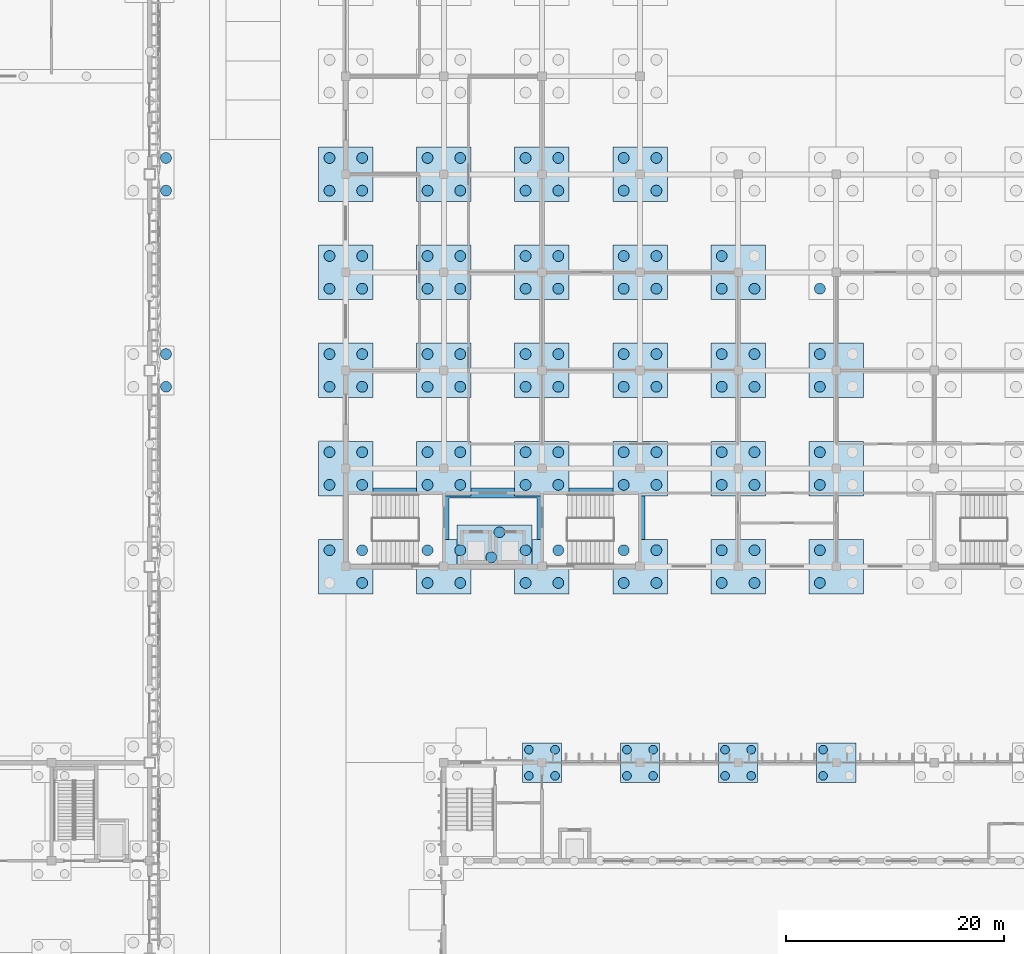
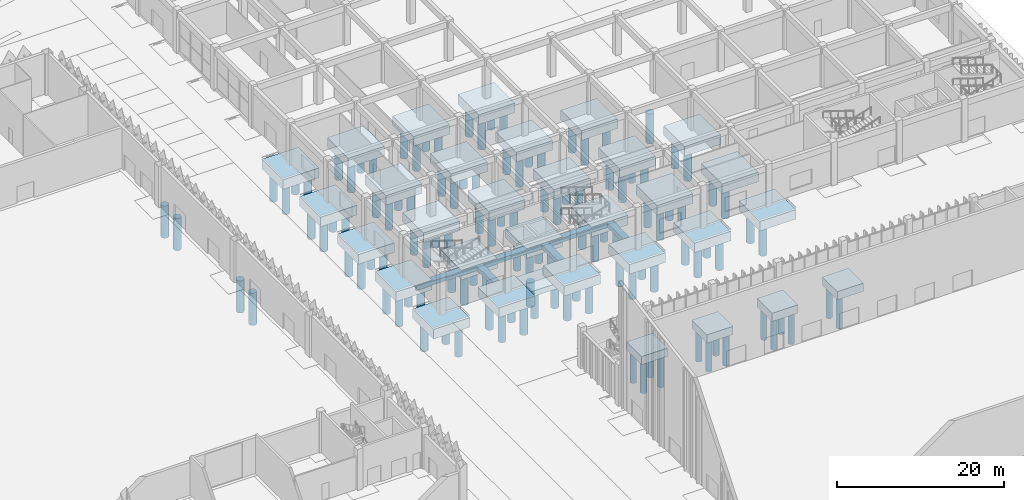
# One storey, part 14 of 198: 121 piles, 33 footings.
"""IFC4 building model written with IfcOpenShell, lengths in metres."""

from ifc_helpers import new_model, si_unit, direction, frame, origin, origin_2d, place, context, subcontext, project, spatial, polyline, circle, outline, extrude, material, layer, layer_set, material_profile, profile_set, type_object, element, save


model = new_model("IFC4")

# Units and contexts
model_context = context("Model", 3, precision=1e-05, world=origin(), true_north=direction((0.0, 1.0)))
body_context = subcontext(model_context, "Body", "Model", "MODEL_VIEW")
ifc_project = project(units=[si_unit("LENGTHUNIT", "METRE"), si_unit("AREAUNIT", "SQUARE_METRE"), si_unit("VOLUMEUNIT", "CUBIC_METRE"), si_unit("PLANEANGLEUNIT", "RADIAN"), si_unit("MASSUNIT", "GRAM", prefix="KILO")], contexts=[model_context])

# Site, building, storey
site_placement = place(None, origin())
site = spatial("IfcSite", under=ifc_project, at=site_placement, CompositionType="ELEMENT")
building_placement = place(site_placement, origin())
building = spatial("IfcBuilding", under=site, at=building_placement, Name="Opaline Strait Convention Centre", CompositionType="ELEMENT")
storey_placement = place(building_placement, origin())
storey = spatial("IfcBuildingStorey", under=building, at=storey_placement, Name="L00", CompositionType="ELEMENT", Elevation=0.0)

# Piles
ifc_material_1 = material(Name="Concrete C35", Category="concrete")
ifc_material_profile_1 = material_profile(ifc_material_1, circle(Radius=0.5, at=origin_2d()), Name="D1000")
ifc_profile_set_1 = profile_set([ifc_material_profile_1], Name="Concrete C35")
pile_type_1 = type_object("IfcPileType", Name="Bored pile D1000 C35", PredefinedType="BORED", material=ifc_profile_set_1)
for number, where, z_axis, x_axis, name in (
    (1, (262.5, 106.5, -1.300048828125), (0.0, 0.0, -1.0), (1.0, 0.0, 0.0), "Bored pile of cap 261/108"),
    (2, (262.5, 109.5, -1.300048828125), (0.0, 0.0, -1.0), (1.0, 0.0, 0.0), "Bored pile of cap 261/108"),
    (3, (262.5, 124.5, -1.300048828125), (0.0, 0.0, -1.0), (1.0, 0.0, 0.0), "Bored pile of cap 261/126"),
    (4, (262.5, 127.5, -1.300048828125), (0.0, 0.0, -1.0), (1.0, 0.0, 0.0), "Bored pile of cap 261/126"),
):
    element("IfcPile", number, at=place(storey_placement, frame(where, z_axis=z_axis, x_axis=x_axis)), inside=storey, type_object=pile_type_1, Name=name, PredefinedType="BORED", context=body_context, shape_type="SweptSolid", body=[
        extrude(circle(Radius=0.5, at=origin_2d()), origin(), (0.0, 0.0, 1.0), 4.699951171875),
    ])
ifc_material_profile_2 = material_profile(ifc_material_1, circle(Radius=0.5, at=origin_2d()), Name="D1000")
ifc_profile_set_2 = profile_set([ifc_material_profile_2], Name="Concrete C35")
pile_type_2 = type_object("IfcPileType", Name="Bored pile D1000 L3.6 C35", PredefinedType="BORED", material=ifc_profile_set_2)
for number, where, z_axis, x_axis, name in (
    (5, (292.35009765625, 90.85009765625, -2.39990234375), (0.0, 0.0, -1.0), (1.0, 0.0, 0.0), "MPL2 pile 1 of lift pit raft SW"),
    (6, (293.10009765625, 93.14990234375, -2.39990234375), (0.0, 0.0, -1.0), (1.0, 0.0, 0.0), "MPL2 pile 2 of lift pit raft SW"),
):
    element("IfcPile", number, at=place(storey_placement, frame(where, z_axis=z_axis, x_axis=x_axis)), inside=storey, type_object=pile_type_2, Name=name, PredefinedType="BORED", context=body_context, shape_type="SweptSolid", body=[
        extrude(circle(Radius=0.5, at=origin_2d()), origin(), (0.0, 0.0, 1.0), 3.60009765625),
    ])
ifc_material_profile_3 = material_profile(ifc_material_1, circle(Radius=0.5, at=origin_2d()), Name="D1000")
ifc_profile_set_3 = profile_set([ifc_material_profile_3], Name="Concrete C35")
pile_type_3 = type_object("IfcPileType", Name="Bored pile D1000 L4.4 C35", PredefinedType="BORED", material=ifc_profile_set_3)
for number, where, z_axis, x_axis, name in (
    (7, (277.5, 91.5, -1.60009765625), (0.0, 0.0, -1.0), (1.0, 0.0, 0.0), "MPL1 pile 2 of cap at 32/L"),
    (8, (280.5, 88.5, -1.60009765625), (0.0, 0.0, -1.0), (1.0, 0.0, 0.0), "MPL1 pile 3 of cap at 32/L"),
    (9, (280.5, 91.5, -1.60009765625), (0.0, 0.0, -1.0), (1.0, 0.0, 0.0), "MPL1 pile 4 of cap at 32/L"),
    (10, (277.5, 97.5, -1.60009765625), (0.0, 0.0, -1.0), (1.0, 0.0, 0.0), "MPL1 pile 1 of cap at 32/M"),
    (11, (277.5, 100.5, -1.60009765625), (0.0, 0.0, -1.0), (1.0, 0.0, 0.0), "MPL1 pile 2 of cap at 32/M"),
    (12, (280.5, 97.5, -1.60009765625), (0.0, 0.0, -1.0), (1.0, 0.0, 0.0), "MPL1 pile 3 of cap at 32/M"),
    (13, (280.5, 100.5, -1.60009765625), (0.0, 0.0, -1.0), (1.0, 0.0, 0.0), "MPL1 pile 4 of cap at 32/M"),
    (14, (277.5, 106.5, -1.60009765625), (0.0, 0.0, -1.0), (1.0, 0.0, 0.0), "MPL1 pile 1 of cap at 32/N"),
    (15, (277.5, 109.5, -1.60009765625), (0.0, 0.0, -1.0), (1.0, 0.0, 0.0), "MPL1 pile 2 of cap at 32/N"),
    (16, (280.5, 106.5, -1.60009765625), (0.0, 0.0, -1.0), (1.0, 0.0, 0.0), "MPL1 pile 3 of cap at 32/N"),
    (17, (280.5, 109.5, -1.60009765625), (0.0, 0.0, -1.0), (1.0, 0.0, 0.0), "MPL1 pile 4 of cap at 32/N"),
    (18, (277.5, 115.5, -1.60009765625), (0.0, 0.0, -1.0), (1.0, 0.0, 0.0), "MPL1 pile 1 of cap at 32/P"),
    (19, (277.5, 118.5, -1.60009765625), (0.0, 0.0, -1.0), (1.0, 0.0, 0.0), "MPL1 pile 2 of cap at 32/P"),
    (20, (280.5, 115.5, -1.60009765625), (0.0, 0.0, -1.0), (1.0, 0.0, 0.0), "MPL1 pile 3 of cap at 32/P"),
    (21, (280.5, 118.5, -1.60009765625), (0.0, 0.0, -1.0), (1.0, 0.0, 0.0), "MPL1 pile 4 of cap at 32/P"),
    (22, (277.5, 124.5, -1.60009765625), (0.0, 0.0, -1.0), (1.0, 0.0, 0.0), "MPL1 pile 1 of cap at 32/Q"),
    (23, (277.5, 127.5, -1.60009765625), (0.0, 0.0, -1.0), (1.0, 0.0, 0.0), "MPL1 pile 2 of cap at 32/Q"),
    (24, (280.5, 124.5, -1.60009765625), (0.0, 0.0, -1.0), (1.0, 0.0, 0.0), "MPL1 pile 3 of cap at 32/Q"),
    (25, (280.5, 127.5, -1.60009765625), (0.0, 0.0, -1.0), (1.0, 0.0, 0.0), "MPL1 pile 4 of cap at 32/Q"),
    (26, (286.5, 88.5, -1.60009765625), (0.0, 0.0, -1.0), (1.0, 0.0, 0.0), "MPL1 pile 1 of cap at 33/L"),
    (27, (286.5, 91.5, -1.60009765625), (0.0, 0.0, -1.0), (1.0, 0.0, 0.0), "MPL1 pile 2 of cap at 33/L"),
    (28, (289.5, 88.5, -1.60009765625), (0.0, 0.0, -1.0), (1.0, 0.0, 0.0), "MPL1 pile 3 of cap at 33/L"),
    (29, (289.5, 91.5, -1.60009765625), (0.0, 0.0, -1.0), (1.0, 0.0, 0.0), "MPL1 pile 4 of cap at 33/L"),
    (30, (286.5, 97.5, -1.60009765625), (0.0, 0.0, -1.0), (1.0, 0.0, 0.0), "MPL1 pile 1 of cap at 33/M"),
    (31, (286.5, 100.5, -1.60009765625), (0.0, 0.0, -1.0), (1.0, 0.0, 0.0), "MPL1 pile 2 of cap at 33/M"),
    (32, (289.5, 97.5, -1.60009765625), (0.0, 0.0, -1.0), (1.0, 0.0, 0.0), "MPL1 pile 3 of cap at 33/M"),
    (33, (289.5, 100.5, -1.60009765625), (0.0, 0.0, -1.0), (1.0, 0.0, 0.0), "MPL1 pile 4 of cap at 33/M"),
    (34, (286.5, 106.5, -1.60009765625), (0.0, 0.0, -1.0), (1.0, 0.0, 0.0), "MPL1 pile 1 of cap at 33/N"),
    (35, (286.5, 109.5, -1.60009765625), (0.0, 0.0, -1.0), (1.0, 0.0, 0.0), "MPL1 pile 2 of cap at 33/N"),
    (36, (289.5, 106.5, -1.60009765625), (0.0, 0.0, -1.0), (1.0, 0.0, 0.0), "MPL1 pile 3 of cap at 33/N"),
    (37, (289.5, 109.5, -1.60009765625), (0.0, 0.0, -1.0), (1.0, 0.0, 0.0), "MPL1 pile 4 of cap at 33/N"),
    (38, (286.5, 115.5, -1.60009765625), (0.0, 0.0, -1.0), (1.0, 0.0, 0.0), "MPL1 pile 1 of cap at 33/P"),
    (39, (286.5, 118.5, -1.60009765625), (0.0, 0.0, -1.0), (1.0, 0.0, 0.0), "MPL1 pile 2 of cap at 33/P"),
    (40, (289.5, 115.5, -1.60009765625), (0.0, 0.0, -1.0), (1.0, 0.0, 0.0), "MPL1 pile 3 of cap at 33/P"),
    (41, (289.5, 118.5, -1.60009765625), (0.0, 0.0, -1.0), (1.0, 0.0, 0.0), "MPL1 pile 4 of cap at 33/P"),
    (42, (286.5, 124.5, -1.60009765625), (0.0, 0.0, -1.0), (1.0, 0.0, 0.0), "MPL1 pile 1 of cap at 33/Q"),
    (43, (286.5, 127.5, -1.60009765625), (0.0, 0.0, -1.0), (1.0, 0.0, 0.0), "MPL1 pile 2 of cap at 33/Q"),
    (44, (289.5, 124.5, -1.60009765625), (0.0, 0.0, -1.0), (1.0, 0.0, 0.0), "MPL1 pile 3 of cap at 33/Q"),
    (45, (289.5, 127.5, -1.60009765625), (0.0, 0.0, -1.0), (1.0, 0.0, 0.0), "MPL1 pile 4 of cap at 33/Q"),
    (46, (295.5, 88.5, -1.60009765625), (0.0, 0.0, -1.0), (1.0, 0.0, 0.0), "MPL1 pile 1 of cap at 34/L"),
    (47, (295.5, 91.5, -1.60009765625), (0.0, 0.0, -1.0), (1.0, 0.0, 0.0), "MPL1 pile 2 of cap at 34/L"),
    (48, (298.5, 88.5, -1.60009765625), (0.0, 0.0, -1.0), (1.0, 0.0, 0.0), "MPL1 pile 3 of cap at 34/L"),
    (49, (298.5, 91.5, -1.60009765625), (0.0, 0.0, -1.0), (1.0, 0.0, 0.0), "MPL1 pile 4 of cap at 34/L"),
    (50, (295.5, 97.5, -1.60009765625), (0.0, 0.0, -1.0), (1.0, 0.0, 0.0), "MPL1 pile 1 of cap at 34/M"),
    (51, (295.5, 100.5, -1.60009765625), (0.0, 0.0, -1.0), (1.0, 0.0, 0.0), "MPL1 pile 2 of cap at 34/M"),
    (52, (298.5, 97.5, -1.60009765625), (0.0, 0.0, -1.0), (1.0, 0.0, 0.0), "MPL1 pile 3 of cap at 34/M"),
    (53, (298.5, 100.5, -1.60009765625), (0.0, 0.0, -1.0), (1.0, 0.0, 0.0), "MPL1 pile 4 of cap at 34/M"),
    (54, (295.5, 106.5, -1.60009765625), (0.0, 0.0, -1.0), (1.0, 0.0, 0.0), "MPL1 pile 1 of cap at 34/N"),
    (55, (295.5, 109.5, -1.60009765625), (0.0, 0.0, -1.0), (1.0, 0.0, 0.0), "MPL1 pile 2 of cap at 34/N"),
    (56, (298.5, 106.5, -1.60009765625), (0.0, 0.0, -1.0), (1.0, 0.0, 0.0), "MPL1 pile 3 of cap at 34/N"),
    (57, (298.5, 109.5, -1.60009765625), (0.0, 0.0, -1.0), (1.0, 0.0, 0.0), "MPL1 pile 4 of cap at 34/N"),
    (58, (295.5, 115.5, -1.60009765625), (0.0, 0.0, -1.0), (1.0, 0.0, 0.0), "MPL1 pile 1 of cap at 34/P"),
    (59, (295.5, 118.5, -1.60009765625), (0.0, 0.0, -1.0), (1.0, 0.0, 0.0), "MPL1 pile 2 of cap at 34/P"),
    (60, (298.5, 115.5, -1.60009765625), (0.0, 0.0, -1.0), (1.0, 0.0, 0.0), "MPL1 pile 3 of cap at 34/P"),
    (61, (298.5, 118.5, -1.60009765625), (0.0, 0.0, -1.0), (1.0, 0.0, 0.0), "MPL1 pile 4 of cap at 34/P"),
    (62, (295.5, 124.5, -1.60009765625), (0.0, 0.0, -1.0), (1.0, 0.0, 0.0), "MPL1 pile 1 of cap at 34/Q"),
    (63, (295.5, 127.5, -1.60009765625), (0.0, 0.0, -1.0), (1.0, 0.0, 0.0), "MPL1 pile 2 of cap at 34/Q"),
    (64, (298.5, 124.5, -1.60009765625), (0.0, 0.0, -1.0), (1.0, 0.0, 0.0), "MPL1 pile 3 of cap at 34/Q"),
    (65, (298.5, 127.5, -1.60009765625), (0.0, 0.0, -1.0), (1.0, 0.0, 0.0), "MPL1 pile 4 of cap at 34/Q"),
    (66, (304.5, 88.5, -1.60009765625), (0.0, 0.0, -1.0), (1.0, 0.0, 0.0), "MPL1 pile 1 of cap at 35/L"),
    (67, (304.5, 91.5, -1.60009765625), (0.0, 0.0, -1.0), (1.0, 0.0, 0.0), "MPL1 pile 2 of cap at 35/L"),
    (68, (307.5, 88.5, -1.60009765625), (0.0, 0.0, -1.0), (1.0, 0.0, 0.0), "MPL1 pile 3 of cap at 35/L"),
    (69, (307.5, 91.5, -1.60009765625), (0.0, 0.0, -1.0), (1.0, 0.0, 0.0), "MPL1 pile 4 of cap at 35/L"),
    (70, (304.5, 97.5, -1.60009765625), (0.0, 0.0, -1.0), (1.0, 0.0, 0.0), "MPL1 pile 1 of cap at 35/M"),
    (71, (304.5, 100.5, -1.60009765625), (0.0, 0.0, -1.0), (1.0, 0.0, 0.0), "MPL1 pile 2 of cap at 35/M"),
    (72, (307.5, 97.5, -1.60009765625), (0.0, 0.0, -1.0), (1.0, 0.0, 0.0), "MPL1 pile 3 of cap at 35/M"),
    (73, (307.5, 100.5, -1.60009765625), (0.0, 0.0, -1.0), (1.0, 0.0, 0.0), "MPL1 pile 4 of cap at 35/M"),
    (74, (304.5, 106.5, -1.60009765625), (0.0, 0.0, -1.0), (1.0, 0.0, 0.0), "MPL1 pile 1 of cap at 35/N"),
    (75, (304.5, 109.5, -1.60009765625), (0.0, 0.0, -1.0), (1.0, 0.0, 0.0), "MPL1 pile 2 of cap at 35/N"),
    (76, (307.5, 106.5, -1.60009765625), (0.0, 0.0, -1.0), (1.0, 0.0, 0.0), "MPL1 pile 3 of cap at 35/N"),
    (77, (307.5, 109.5, -1.60009765625), (0.0, 0.0, -1.0), (1.0, 0.0, 0.0), "MPL1 pile 4 of cap at 35/N"),
    (78, (304.5, 115.5, -1.60009765625), (0.0, 0.0, -1.0), (1.0, 0.0, 0.0), "MPL1 pile 1 of cap at 35/P"),
    (79, (304.5, 118.5, -1.60009765625), (0.0, 0.0, -1.0), (1.0, 0.0, 0.0), "MPL1 pile 2 of cap at 35/P"),
    (80, (307.5, 115.5, -1.60009765625), (0.0, 0.0, -1.0), (1.0, 0.0, 0.0), "MPL1 pile 3 of cap at 35/P"),
    (81, (307.5, 118.5, -1.60009765625), (0.0, 0.0, -1.0), (1.0, 0.0, 0.0), "MPL1 pile 4 of cap at 35/P"),
    (82, (304.5, 124.5, -1.60009765625), (0.0, 0.0, -1.0), (1.0, 0.0, 0.0), "MPL1 pile 1 of cap at 35/Q"),
    (83, (304.5, 127.5, -1.60009765625), (0.0, 0.0, -1.0), (1.0, 0.0, 0.0), "MPL1 pile 2 of cap at 35/Q"),
    (84, (307.5, 124.5, -1.60009765625), (0.0, 0.0, -1.0), (1.0, 0.0, 0.0), "MPL1 pile 3 of cap at 35/Q"),
    (85, (307.5, 127.5, -1.60009765625), (0.0, 0.0, -1.0), (1.0, 0.0, 0.0), "MPL1 pile 4 of cap at 35/Q"),
    (86, (313.5, 88.5, -1.60009765625), (0.0, 0.0, -1.0), (1.0, 0.0, 0.0), "MPL1 pile 1 of cap at 36/L"),
    (87, (313.5, 91.5, -1.60009765625), (0.0, 0.0, -1.0), (1.0, 0.0, 0.0), "MPL1 pile 2 of cap at 36/L"),
    (88, (316.5, 88.5, -1.60009765625), (0.0, 0.0, -1.0), (1.0, 0.0, 0.0), "MPL1 pile 3 of cap at 36/L"),
    (89, (316.5, 91.5, -1.60009765625), (0.0, 0.0, -1.0), (1.0, 0.0, 0.0), "MPL1 pile 4 of cap at 36/L"),
    (90, (313.5, 97.5, -1.60009765625), (0.0, 0.0, -1.0), (1.0, 0.0, 0.0), "MPL1 pile 1 of cap at 36/M"),
    (91, (313.5, 100.5, -1.60009765625), (0.0, 0.0, -1.0), (1.0, 0.0, 0.0), "MPL1 pile 2 of cap at 36/M"),
    (92, (316.5, 97.5, -1.60009765625), (0.0, 0.0, -1.0), (1.0, 0.0, 0.0), "MPL1 pile 3 of cap at 36/M"),
    (93, (316.5, 100.5, -1.60009765625), (0.0, 0.0, -1.0), (1.0, 0.0, 0.0), "MPL1 pile 4 of cap at 36/M"),
    (94, (313.5, 106.5, -1.60009765625), (0.0, 0.0, -1.0), (1.0, 0.0, 0.0), "MPL1 pile 1 of cap at 36/N"),
    (95, (313.5, 109.5, -1.60009765625), (0.0, 0.0, -1.0), (1.0, 0.0, 0.0), "MPL1 pile 2 of cap at 36/N"),
    (96, (316.5, 106.5, -1.60009765625), (0.0, 0.0, -1.0), (1.0, 0.0, 0.0), "MPL1 pile 3 of cap at 36/N"),
    (97, (316.5, 109.5, -1.60009765625), (0.0, 0.0, -1.0), (1.0, 0.0, 0.0), "MPL1 pile 4 of cap at 36/N"),
    (98, (313.5, 115.5, -1.60009765625), (0.0, 0.0, -1.0), (1.0, 0.0, 0.0), "MPL1 pile 1 of cap at 36/P"),
    (99, (313.5, 118.5, -1.60009765625), (0.0, 0.0, -1.0), (1.0, 0.0, 0.0), "MPL1 pile 2 of cap at 36/P"),
    (100, (316.5, 115.5, -1.60009765625), (0.0, 0.0, -1.0), (1.0, 0.0, 0.0), "MPL1 pile 3 of cap at 36/P"),
    (101, (322.5, 88.5, -1.60009765625), (0.0, 0.0, -1.0), (1.0, 0.0, 0.0), "MPL1 pile 1 of cap at 37/L"),
    (102, (322.5, 91.5, -1.60009765625), (0.0, 0.0, -1.0), (1.0, 0.0, 0.0), "MPL1 pile 2 of cap at 37/L"),
    (103, (322.5, 97.5, -1.60009765625), (0.0, 0.0, -1.0), (1.0, 0.0, 0.0), "MPL1 pile 1 of cap at 37/M"),
    (104, (322.5, 100.5, -1.60009765625), (0.0, 0.0, -1.0), (1.0, 0.0, 0.0), "MPL1 pile 2 of cap at 37/M"),
    (105, (322.5, 106.5, -1.60009765625), (0.0, 0.0, -1.0), (1.0, 0.0, 0.0), "MPL1 pile 1 of cap at 37/N"),
    (106, (322.5, 109.5, -1.60009765625), (0.0, 0.0, -1.0), (1.0, 0.0, 0.0), "MPL1 pile 2 of cap at 37/N"),
    (107, (322.5, 115.5, -1.60009765625), (0.0, 0.0, -1.0), (1.0, 0.0, 0.0), "MPL1 pile 1 of cap at 37/P"),
):
    element("IfcPile", number, at=place(storey_placement, frame(where, z_axis=z_axis, x_axis=x_axis)), inside=storey, type_object=pile_type_3, Name=name, PredefinedType="BORED", context=body_context, shape_type="SweptSolid", body=[
        extrude(circle(Radius=0.5, at=origin_2d()), origin(), (0.0, 0.0, 1.0), 4.39990234375),
    ])
ifc_material_profile_4 = material_profile(ifc_material_1, circle(Radius=0.39990234375, at=origin_2d()), Name="D800")
ifc_profile_set_4 = profile_set([ifc_material_profile_4], Name="Concrete C35")
pile_type_4 = type_object("IfcPileType", Name="Bored pile D800 L4.6 C35", PredefinedType="BORED", material=ifc_profile_set_4)
for number, where, z_axis, x_axis, name in (
    (108, (295.800048828125, 70.800048828125, -1.39990234375), (0.0, 0.0, -1.0), (1.0, 0.0, 0.0), "BP1 pile 1 at 34/J"),
    (109, (298.199951171875, 70.800048828125, -1.39990234375), (0.0, 0.0, -1.0), (1.0, 0.0, 0.0), "BP1 pile 2 at 34/J"),
    (110, (295.800048828125, 73.199951171875, -1.39990234375), (0.0, 0.0, -1.0), (1.0, 0.0, 0.0), "BP1 pile 3 at 34/J"),
    (111, (298.199951171875, 73.199951171875, -1.39990234375), (0.0, 0.0, -1.0), (1.0, 0.0, 0.0), "BP1 pile 4 at 34/J"),
    (112, (304.800048828125, 70.800048828125, -1.39990234375), (0.0, 0.0, -1.0), (1.0, 0.0, 0.0), "BP1 pile 1 at 35/J"),
    (113, (307.199951171875, 70.800048828125, -1.39990234375), (0.0, 0.0, -1.0), (1.0, 0.0, 0.0), "BP1 pile 2 at 35/J"),
    (114, (304.800048828125, 73.199951171875, -1.39990234375), (0.0, 0.0, -1.0), (1.0, 0.0, 0.0), "BP1 pile 3 at 35/J"),
    (115, (307.199951171875, 73.199951171875, -1.39990234375), (0.0, 0.0, -1.0), (1.0, 0.0, 0.0), "BP1 pile 4 at 35/J"),
    (116, (313.800048828125, 70.800048828125, -1.39990234375), (0.0, 0.0, -1.0), (1.0, 0.0, 0.0), "BP1 pile 1 at 36/J"),
    (117, (316.199951171875, 70.800048828125, -1.39990234375), (0.0, 0.0, -1.0), (1.0, 0.0, 0.0), "BP1 pile 2 at 36/J"),
    (118, (313.800048828125, 73.199951171875, -1.39990234375), (0.0, 0.0, -1.0), (1.0, 0.0, 0.0), "BP1 pile 3 at 36/J"),
    (119, (316.199951171875, 73.199951171875, -1.39990234375), (0.0, 0.0, -1.0), (1.0, 0.0, 0.0), "BP1 pile 4 at 36/J"),
    (120, (322.800048828125, 70.800048828125, -1.39990234375), (0.0, 0.0, -1.0), (1.0, 0.0, 0.0), "BP1 pile 1 at 37/J"),
    (121, (322.800048828125, 73.199951171875, -1.39990234375), (0.0, 0.0, -1.0), (1.0, 0.0, 0.0), "BP1 pile 3 at 37/J"),
):
    element("IfcPile", number, at=place(storey_placement, frame(where, z_axis=z_axis, x_axis=x_axis)), inside=storey, type_object=pile_type_4, Name=name, PredefinedType="BORED", context=body_context, shape_type="SweptSolid", body=[
        extrude(circle(Radius=0.39990234375, at=origin_2d()), origin(), (0.0, 0.0, 1.0), 4.60009765625),
    ])

# Footings
ifc_layer_1 = layer(ifc_material_1, 1.199951171875)
ifc_layer_set_1 = layer_set([ifc_layer_1], Name="Concrete C35")
footing_type_1 = type_object("IfcFootingType", Name="Pile cap 2x2 piles D800 3600x3600x1200 C35", PredefinedType="PILE_CAP", material=ifc_layer_set_1)
footing_1_placement = place(storey_placement, frame((0.0, 0.0, -1.5)))
element("IfcFooting", 122, at=footing_1_placement, inside=storey, type_object=footing_type_1, Name="BF1 pile cap at 34/J", PredefinedType="PILE_CAP", context=body_context, shape_type="SweptSolid", body=[
    extrude(outline(polyline([(295.199951171875, 70.199951171875), (298.800048828125, 70.199951171875), (298.800048828125, 73.800048828125), (295.199951171875, 73.800048828125), (295.199951171875, 70.199951171875)])), origin(), (0.0, 0.0, 1.0), 1.199951171875),
])
footing_2_placement = place(storey_placement, frame((0.0, 0.0, -1.5)))
element("IfcFooting", 123, at=footing_2_placement, inside=storey, type_object=footing_type_1, Name="BF1 pile cap at 35/J", PredefinedType="PILE_CAP", context=body_context, shape_type="SweptSolid", body=[
    extrude(outline(polyline([(304.199951171875, 70.199951171875), (307.800048828125, 70.199951171875), (307.800048828125, 73.800048828125), (304.199951171875, 73.800048828125), (304.199951171875, 70.199951171875)])), origin(), (0.0, 0.0, 1.0), 1.199951171875),
])
footing_3_placement = place(storey_placement, frame((0.0, 0.0, -1.5)))
element("IfcFooting", 124, at=footing_3_placement, inside=storey, type_object=footing_type_1, Name="BF1 pile cap at 36/J", PredefinedType="PILE_CAP", context=body_context, shape_type="SweptSolid", body=[
    extrude(outline(polyline([(313.199951171875, 70.199951171875), (316.800048828125, 70.199951171875), (316.800048828125, 73.800048828125), (313.199951171875, 73.800048828125), (313.199951171875, 70.199951171875)])), origin(), (0.0, 0.0, 1.0), 1.199951171875),
])
footing_4_placement = place(storey_placement, frame((0.0, 0.0, -1.5)))
element("IfcFooting", 125, at=footing_4_placement, inside=storey, type_object=footing_type_1, Name="BF1 pile cap at 37/J", PredefinedType="PILE_CAP", context=body_context, shape_type="SweptSolid", body=[
    extrude(outline(polyline([(322.199951171875, 70.199951171875), (325.800048828125, 70.199951171875), (325.800048828125, 73.800048828125), (322.199951171875, 73.800048828125), (322.199951171875, 70.199951171875)])), origin(), (0.0, 0.0, 1.0), 1.199951171875),
])
ifc_material_2 = material(Name="Concrete C40", Category="concrete")
ifc_layer_2 = layer(ifc_material_2, 1.39990234375)
ifc_layer_set_2 = layer_set([ifc_layer_2], Name="Concrete C40")
footing_type_2 = type_object("IfcFootingType", Name="Pile cap 4 piles 5000x5000x1400 C40", PredefinedType="PILE_CAP", material=ifc_layer_set_2)
footing_5_placement = place(storey_placement, frame((0.0, 0.0, -1.699951171875)))
element("IfcFooting", 126, at=footing_5_placement, inside=storey, type_object=footing_type_2, Name="MPC1 pile cap at 32/L", PredefinedType="PILE_CAP", context=body_context, shape_type="SweptSolid", body=[
    extrude(outline(polyline([(276.5, 87.5), (281.5, 87.5), (281.5, 92.5), (276.5, 92.5), (276.5, 87.5)])), origin(), (0.0, 0.0, 1.0), 1.39990234375),
])
footing_6_placement = place(storey_placement, frame((0.0, 0.0, -1.699951171875)))
element("IfcFooting", 127, at=footing_6_placement, inside=storey, type_object=footing_type_2, Name="MPC1 pile cap at 32/M", PredefinedType="PILE_CAP", context=body_context, shape_type="SweptSolid", body=[
    extrude(outline(polyline([(276.5, 96.5), (281.5, 96.5), (281.5, 101.5), (276.5, 101.5), (276.5, 96.5)])), origin(), (0.0, 0.0, 1.0), 1.39990234375),
])
footing_7_placement = place(storey_placement, frame((0.0, 0.0, -1.699951171875)))
element("IfcFooting", 128, at=footing_7_placement, inside=storey, type_object=footing_type_2, Name="MPC1 pile cap at 32/N", PredefinedType="PILE_CAP", context=body_context, shape_type="SweptSolid", body=[
    extrude(outline(polyline([(276.5, 105.5), (281.5, 105.5), (281.5, 110.5), (276.5, 110.5), (276.5, 105.5)])), origin(), (0.0, 0.0, 1.0), 1.39990234375),
])
footing_8_placement = place(storey_placement, frame((0.0, 0.0, -1.699951171875)))
element("IfcFooting", 129, at=footing_8_placement, inside=storey, type_object=footing_type_2, Name="MPC1 pile cap at 32/P", PredefinedType="PILE_CAP", context=body_context, shape_type="SweptSolid", body=[
    extrude(outline(polyline([(276.5, 114.5), (281.5, 114.5), (281.5, 119.5), (276.5, 119.5), (276.5, 114.5)])), origin(), (0.0, 0.0, 1.0), 1.39990234375),
])
footing_9_placement = place(storey_placement, frame((0.0, 0.0, -1.699951171875)))
element("IfcFooting", 130, at=footing_9_placement, inside=storey, type_object=footing_type_2, Name="MPC1 pile cap at 32/Q", PredefinedType="PILE_CAP", context=body_context, shape_type="SweptSolid", body=[
    extrude(outline(polyline([(276.5, 123.5), (281.5, 123.5), (281.5, 128.5), (276.5, 128.5), (276.5, 123.5)])), origin(), (0.0, 0.0, 1.0), 1.39990234375),
])
footing_10_placement = place(storey_placement, frame((0.0, 0.0, -1.699951171875)))
element("IfcFooting", 131, at=footing_10_placement, inside=storey, type_object=footing_type_2, Name="MPC1 pile cap at 33/L", PredefinedType="PILE_CAP", context=body_context, shape_type="SweptSolid", body=[
    extrude(outline(polyline([(285.5, 87.5), (290.5, 87.5), (290.5, 92.5), (285.5, 92.5), (285.5, 87.5)])), origin(), (0.0, 0.0, 1.0), 1.39990234375),
])
footing_11_placement = place(storey_placement, frame((0.0, 0.0, -1.699951171875)))
element("IfcFooting", 132, at=footing_11_placement, inside=storey, type_object=footing_type_2, Name="MPC1 pile cap at 33/M", PredefinedType="PILE_CAP", context=body_context, shape_type="SweptSolid", body=[
    extrude(outline(polyline([(285.5, 96.5), (290.5, 96.5), (290.5, 101.5), (285.5, 101.5), (285.5, 96.5)])), origin(), (0.0, 0.0, 1.0), 1.39990234375),
])
footing_12_placement = place(storey_placement, frame((0.0, 0.0, -1.699951171875)))
element("IfcFooting", 133, at=footing_12_placement, inside=storey, type_object=footing_type_2, Name="MPC1 pile cap at 33/N", PredefinedType="PILE_CAP", context=body_context, shape_type="SweptSolid", body=[
    extrude(outline(polyline([(285.5, 105.5), (290.5, 105.5), (290.5, 110.5), (285.5, 110.5), (285.5, 105.5)])), origin(), (0.0, 0.0, 1.0), 1.39990234375),
])
footing_13_placement = place(storey_placement, frame((0.0, 0.0, -1.699951171875)))
element("IfcFooting", 134, at=footing_13_placement, inside=storey, type_object=footing_type_2, Name="MPC1 pile cap at 33/P", PredefinedType="PILE_CAP", context=body_context, shape_type="SweptSolid", body=[
    extrude(outline(polyline([(285.5, 114.5), (290.5, 114.5), (290.5, 119.5), (285.5, 119.5), (285.5, 114.5)])), origin(), (0.0, 0.0, 1.0), 1.39990234375),
])
footing_14_placement = place(storey_placement, frame((0.0, 0.0, -1.699951171875)))
element("IfcFooting", 135, at=footing_14_placement, inside=storey, type_object=footing_type_2, Name="MPC1 pile cap at 33/Q", PredefinedType="PILE_CAP", context=body_context, shape_type="SweptSolid", body=[
    extrude(outline(polyline([(285.5, 123.5), (290.5, 123.5), (290.5, 128.5), (285.5, 128.5), (285.5, 123.5)])), origin(), (0.0, 0.0, 1.0), 1.39990234375),
])
footing_15_placement = place(storey_placement, frame((0.0, 0.0, -1.699951171875)))
element("IfcFooting", 136, at=footing_15_placement, inside=storey, type_object=footing_type_2, Name="MPC1 pile cap at 34/L", PredefinedType="PILE_CAP", context=body_context, shape_type="SweptSolid", body=[
    extrude(outline(polyline([(294.5, 87.5), (299.5, 87.5), (299.5, 92.5), (294.5, 92.5), (294.5, 87.5)])), origin(), (0.0, 0.0, 1.0), 1.39990234375),
])
footing_16_placement = place(storey_placement, frame((0.0, 0.0, -1.699951171875)))
element("IfcFooting", 137, at=footing_16_placement, inside=storey, type_object=footing_type_2, Name="MPC1 pile cap at 34/M", PredefinedType="PILE_CAP", context=body_context, shape_type="SweptSolid", body=[
    extrude(outline(polyline([(294.5, 96.5), (299.5, 96.5), (299.5, 101.5), (294.5, 101.5), (294.5, 96.5)])), origin(), (0.0, 0.0, 1.0), 1.39990234375),
])
footing_17_placement = place(storey_placement, frame((0.0, 0.0, -1.699951171875)))
element("IfcFooting", 138, at=footing_17_placement, inside=storey, type_object=footing_type_2, Name="MPC1 pile cap at 34/N", PredefinedType="PILE_CAP", context=body_context, shape_type="SweptSolid", body=[
    extrude(outline(polyline([(294.5, 105.5), (299.5, 105.5), (299.5, 110.5), (294.5, 110.5), (294.5, 105.5)])), origin(), (0.0, 0.0, 1.0), 1.39990234375),
])
footing_18_placement = place(storey_placement, frame((0.0, 0.0, -1.699951171875)))
element("IfcFooting", 139, at=footing_18_placement, inside=storey, type_object=footing_type_2, Name="MPC1 pile cap at 34/P", PredefinedType="PILE_CAP", context=body_context, shape_type="SweptSolid", body=[
    extrude(outline(polyline([(294.5, 114.5), (299.5, 114.5), (299.5, 119.5), (294.5, 119.5), (294.5, 114.5)])), origin(), (0.0, 0.0, 1.0), 1.39990234375),
])
footing_19_placement = place(storey_placement, frame((0.0, 0.0, -1.699951171875)))
element("IfcFooting", 140, at=footing_19_placement, inside=storey, type_object=footing_type_2, Name="MPC1 pile cap at 34/Q", PredefinedType="PILE_CAP", context=body_context, shape_type="SweptSolid", body=[
    extrude(outline(polyline([(294.5, 123.5), (299.5, 123.5), (299.5, 128.5), (294.5, 128.5), (294.5, 123.5)])), origin(), (0.0, 0.0, 1.0), 1.39990234375),
])
footing_20_placement = place(storey_placement, frame((0.0, 0.0, -1.699951171875)))
element("IfcFooting", 141, at=footing_20_placement, inside=storey, type_object=footing_type_2, Name="MPC1 pile cap at 35/L", PredefinedType="PILE_CAP", context=body_context, shape_type="SweptSolid", body=[
    extrude(outline(polyline([(303.5, 87.5), (308.5, 87.5), (308.5, 92.5), (303.5, 92.5), (303.5, 87.5)])), origin(), (0.0, 0.0, 1.0), 1.39990234375),
])
footing_21_placement = place(storey_placement, frame((0.0, 0.0, -1.699951171875)))
element("IfcFooting", 142, at=footing_21_placement, inside=storey, type_object=footing_type_2, Name="MPC1 pile cap at 35/M", PredefinedType="PILE_CAP", context=body_context, shape_type="SweptSolid", body=[
    extrude(outline(polyline([(303.5, 96.5), (308.5, 96.5), (308.5, 101.5), (303.5, 101.5), (303.5, 96.5)])), origin(), (0.0, 0.0, 1.0), 1.39990234375),
])
footing_22_placement = place(storey_placement, frame((0.0, 0.0, -1.699951171875)))
element("IfcFooting", 143, at=footing_22_placement, inside=storey, type_object=footing_type_2, Name="MPC1 pile cap at 35/N", PredefinedType="PILE_CAP", context=body_context, shape_type="SweptSolid", body=[
    extrude(outline(polyline([(303.5, 105.5), (308.5, 105.5), (308.5, 110.5), (303.5, 110.5), (303.5, 105.5)])), origin(), (0.0, 0.0, 1.0), 1.39990234375),
])
footing_23_placement = place(storey_placement, frame((0.0, 0.0, -1.699951171875)))
element("IfcFooting", 144, at=footing_23_placement, inside=storey, type_object=footing_type_2, Name="MPC1 pile cap at 35/P", PredefinedType="PILE_CAP", context=body_context, shape_type="SweptSolid", body=[
    extrude(outline(polyline([(303.5, 114.5), (308.5, 114.5), (308.5, 119.5), (303.5, 119.5), (303.5, 114.5)])), origin(), (0.0, 0.0, 1.0), 1.39990234375),
])
footing_24_placement = place(storey_placement, frame((0.0, 0.0, -1.699951171875)))
element("IfcFooting", 145, at=footing_24_placement, inside=storey, type_object=footing_type_2, Name="MPC1 pile cap at 35/Q", PredefinedType="PILE_CAP", context=body_context, shape_type="SweptSolid", body=[
    extrude(outline(polyline([(303.5, 123.5), (308.5, 123.5), (308.5, 128.5), (303.5, 128.5), (303.5, 123.5)])), origin(), (0.0, 0.0, 1.0), 1.39990234375),
])
footing_25_placement = place(storey_placement, frame((0.0, 0.0, -1.699951171875)))
element("IfcFooting", 146, at=footing_25_placement, inside=storey, type_object=footing_type_2, Name="MPC1 pile cap at 36/L", PredefinedType="PILE_CAP", context=body_context, shape_type="SweptSolid", body=[
    extrude(outline(polyline([(312.5, 87.5), (317.5, 87.5), (317.5, 92.5), (312.5, 92.5), (312.5, 87.5)])), origin(), (0.0, 0.0, 1.0), 1.39990234375),
])
footing_26_placement = place(storey_placement, frame((0.0, 0.0, -1.699951171875)))
element("IfcFooting", 147, at=footing_26_placement, inside=storey, type_object=footing_type_2, Name="MPC1 pile cap at 36/M", PredefinedType="PILE_CAP", context=body_context, shape_type="SweptSolid", body=[
    extrude(outline(polyline([(312.5, 96.5), (317.5, 96.5), (317.5, 101.5), (312.5, 101.5), (312.5, 96.5)])), origin(), (0.0, 0.0, 1.0), 1.39990234375),
])
footing_27_placement = place(storey_placement, frame((0.0, 0.0, -1.699951171875)))
element("IfcFooting", 148, at=footing_27_placement, inside=storey, type_object=footing_type_2, Name="MPC1 pile cap at 36/N", PredefinedType="PILE_CAP", context=body_context, shape_type="SweptSolid", body=[
    extrude(outline(polyline([(312.5, 105.5), (317.5, 105.5), (317.5, 110.5), (312.5, 110.5), (312.5, 105.5)])), origin(), (0.0, 0.0, 1.0), 1.39990234375),
])
footing_28_placement = place(storey_placement, frame((0.0, 0.0, -1.699951171875)))
element("IfcFooting", 149, at=footing_28_placement, inside=storey, type_object=footing_type_2, Name="MPC1 pile cap at 36/P", PredefinedType="PILE_CAP", context=body_context, shape_type="SweptSolid", body=[
    extrude(outline(polyline([(312.5, 114.5), (317.5, 114.5), (317.5, 119.5), (312.5, 119.5), (312.5, 114.5)])), origin(), (0.0, 0.0, 1.0), 1.39990234375),
])
footing_29_placement = place(storey_placement, frame((0.0, 0.0, -1.699951171875)))
element("IfcFooting", 150, at=footing_29_placement, inside=storey, type_object=footing_type_2, Name="MPC1 pile cap at 37/L", PredefinedType="PILE_CAP", context=body_context, shape_type="SweptSolid", body=[
    extrude(outline(polyline([(321.5, 87.5), (326.5, 87.5), (326.5, 92.5), (321.5, 92.5), (321.5, 87.5)])), origin(), (0.0, 0.0, 1.0), 1.39990234375),
])
footing_30_placement = place(storey_placement, frame((0.0, 0.0, -1.699951171875)))
element("IfcFooting", 151, at=footing_30_placement, inside=storey, type_object=footing_type_2, Name="MPC1 pile cap at 37/M", PredefinedType="PILE_CAP", context=body_context, shape_type="SweptSolid", body=[
    extrude(outline(polyline([(321.5, 96.5), (326.5, 96.5), (326.5, 101.5), (321.5, 101.5), (321.5, 96.5)])), origin(), (0.0, 0.0, 1.0), 1.39990234375),
])
footing_31_placement = place(storey_placement, frame((0.0, 0.0, -1.699951171875)))
element("IfcFooting", 152, at=footing_31_placement, inside=storey, type_object=footing_type_2, Name="MPC1 pile cap at 37/N", PredefinedType="PILE_CAP", context=body_context, shape_type="SweptSolid", body=[
    extrude(outline(polyline([(321.5, 105.5), (326.5, 105.5), (326.5, 110.5), (321.5, 110.5), (321.5, 105.5)])), origin(), (0.0, 0.0, 1.0), 1.39990234375),
])
ifc_layer_3 = layer(ifc_material_2, 0.800048828125)
ifc_layer_set_3 = layer_set([ifc_layer_3], Name="Concrete C40")
footing_type_3 = type_object("IfcFootingType", Name="Pile cap lift pit 6900x3400x800 C40", PredefinedType="PILE_CAP", material=ifc_layer_set_3)
footing_32_placement = place(storey_placement, frame((0.0, 0.0, -2.5)))
element("IfcFooting", 153, at=footing_32_placement, inside=storey, type_object=footing_type_3, Name="MPR1 lift pit raft SW", PredefinedType="PILE_CAP", context=body_context, shape_type="SweptSolid", body=[
    extrude(outline(polyline([(296.10009765625, 90.199951171875), (296.10009765625, 93.800048828125), (289.199951171875, 93.800048828125), (289.199951171875, 90.199951171875), (296.10009765625, 90.199951171875)])), origin(), (0.0, 0.0, 1.0), 0.800048828125),
])
ifc_layer_4 = layer(ifc_material_2, 0.60009765625)
ifc_layer_set_4 = layer_set([ifc_layer_4], Name="Concrete C40")
footing_type_4 = type_object("IfcFootingType", Name="Strip footing 900 under core wall C40", PredefinedType="STRIP_FOOTING", material=ifc_layer_set_4)
footing_33_placement = place(storey_placement, frame((0.0, 0.0, -0.89990234375)))
element("IfcFooting", 154, at=footing_33_placement, inside=storey, type_object=footing_type_4, Name="MSF1 strip footing 1", PredefinedType="STRIP_FOOTING", context=body_context, shape_type="SweptSolid", body=[
    extrude(outline(polyline([(279.199951171875, 96.5), (281.5, 96.5), (281.5, 97.199951171875), (285.5, 97.199951171875), (285.5, 96.5), (290.5, 96.5), (290.5, 97.199951171875), (294.5, 97.199951171875), (294.5, 96.5), (299.5, 96.5), (299.5, 97.199951171875), (303.5, 97.199951171875), (303.5, 96.5), (306.449951171875, 96.5), (306.449951171875, 92.5), (305.550048828125, 92.5), (305.550048828125, 96.300048828125), (297.449951171875, 96.300048828125), (297.449951171875, 92.5), (296.550048828125, 92.5), (296.550048828125, 96.300048828125), (288.449951171875, 96.300048828125), (288.449951171875, 92.5), (287.550048828125, 92.5), (287.550048828125, 96.300048828125), (279.199951171875, 96.300048828125), (279.199951171875, 96.5)])), origin(), (0.0, 0.0, 1.0), 0.599853515625),
])

save(model, "model.ifc")
